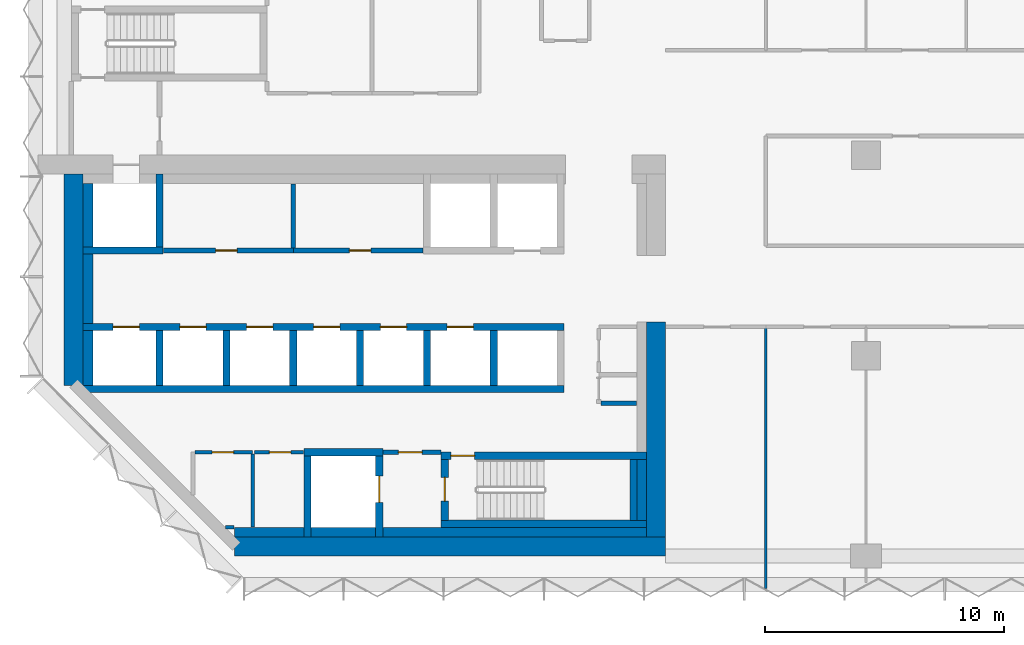
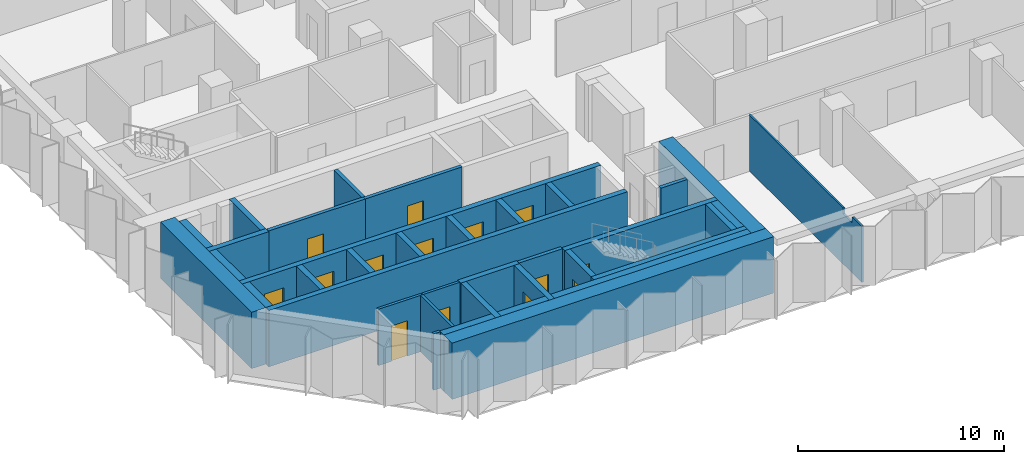
# One storey, part 7 of 13: 37 walls, 14 doors, 14 openings.
"""IFC4 building model written with IfcOpenShell, lengths in metres."""

from ifc_helpers import new_model, si_unit, direction, frame, frame_2d, origin, place, context, subcontext, project, spatial, polyline, rectangle, outline, extrude, material, layer, layer_set, type_object, element, fill, save


model = new_model("IFC4")

# Units and contexts
model_context = context("Model", 3, precision=1e-05, world=origin(), true_north=direction((0.0, 1.0)))
body_context = subcontext(model_context, "Body", "Model", "MODEL_VIEW")
ifc_project = project(units=[si_unit("LENGTHUNIT", "METRE"), si_unit("AREAUNIT", "SQUARE_METRE"), si_unit("VOLUMEUNIT", "CUBIC_METRE"), si_unit("PLANEANGLEUNIT", "RADIAN"), si_unit("MASSUNIT", "GRAM", prefix="KILO")], contexts=[model_context])

# Site, building, storey
site_placement = place(None, origin())
site = spatial("IfcSite", under=ifc_project, at=site_placement, CompositionType="ELEMENT")
building_placement = place(site_placement, origin())
building = spatial("IfcBuilding", under=site, at=building_placement, Name="Brevane Broadcast Tower", CompositionType="ELEMENT")
storey_placement = place(building_placement, frame((0.0, 0.0, 116.89990234375)))
storey = spatial("IfcBuildingStorey", under=building, at=storey_placement, Name="L28", CompositionType="ELEMENT", Elevation=116.89990234375)

# Walls
ifc_material_1 = material(Name="Concrete C32/40", Category="concrete")
ifc_layer_1 = layer(ifc_material_1, 0.39990234375)
ifc_layer_set_1 = layer_set([ifc_layer_1], Name="Core chase wall 400 mm")
wall_type_1 = type_object("IfcWallType", Name="Core chase wall 400 mm", PredefinedType="PARTITIONING", material=ifc_layer_set_1)
wall_1_placement = place(storey_placement, frame((1.0, 7.14990234375, 0.0), z_axis=(0.0, 0.0, 1.0), x_axis=(0.0, 1.0, 0.0)))
element("IfcWall", 1, at=wall_1_placement, inside=storey, type_object=wall_type_1, Name="L28 chase wall LW-2-1", PredefinedType="PARTITIONING", context=body_context, shape_type="SweptSolid", body=[
    extrude(rectangle(XDim=2.300048828125, YDim=0.39990234375, at=frame_2d((1.14990234375, 0.0))), origin(), (0.0, 0.0, 1.0), 3.35009765625),
])
wall_2_placement = place(storey_placement, frame((1.0, 9.75, 0.0), z_axis=(0.0, 0.0, 1.0), x_axis=(0.0, 1.0, 0.0)))
element("IfcWall", 2, at=wall_2_placement, inside=storey, type_object=wall_type_1, Name="L28 chase wall LW-2-2-1", PredefinedType="PARTITIONING", context=body_context, shape_type="SweptSolid", body=[
    extrude(rectangle(XDim=2.89990234375, YDim=0.39990234375, at=frame_2d((1.449951171875, 0.0))), origin(), (0.0, 0.0, 1.0), 3.35009765625),
])
wall_3_placement = place(storey_placement, frame((1.0, 12.949951171875, 0.0), z_axis=(0.0, 0.0, 1.0), x_axis=(0.0, 1.0, 0.0)))
element("IfcWall", 3, at=wall_3_placement, inside=storey, type_object=wall_type_1, Name="L28 chase wall LW-2-2-2", PredefinedType="PARTITIONING", context=body_context, shape_type="SweptSolid", body=[
    extrude(rectangle(XDim=2.650146484375, YDim=0.39990234375, at=frame_2d((1.3251953125, 0.0))), origin(), (0.0, 0.0, 1.0), 3.35009765625),
])
wall_4_placement = place(storey_placement, frame((7.136474609375, 1.0, 0.0), z_axis=(0.0, 0.0, 1.0), x_axis=(1.0, 0.0, 0.0)))
element("IfcWall", 4, at=wall_4_placement, inside=storey, type_object=wall_type_1, Name="L28 chase wall LS-1", PredefinedType="PARTITIONING", context=body_context, shape_type="SweptSolid", body=[
    extrude(rectangle(XDim=2.91357421875, YDim=0.39990234375, at=frame_2d((1.456787109375, 0.0))), origin(), (0.0, 0.0, 1.0), 3.35009765625),
])
wall_5_placement = place(storey_placement, frame((10.35009765625, 1.0, 0.0), z_axis=(0.0, 0.0, 1.0), x_axis=(1.0, 0.0, 0.0)))
element("IfcWall", 5, at=wall_5_placement, inside=storey, type_object=wall_type_1, Name="L28 chase wall LS-2-1", PredefinedType="PARTITIONING", context=body_context, shape_type="SweptSolid", body=[
    extrude(rectangle(XDim=2.699951171875, YDim=0.39990234375, at=frame_2d((1.35009765625, 0.0))), origin(), (0.0, 0.0, 1.0), 3.35009765625),
])
wall_6_placement = place(storey_placement, frame((13.35009765625, 1.0, 0.0), z_axis=(0.0, 0.0, 1.0), x_axis=(1.0, 0.0, 0.0)))
element("IfcWall", 6, at=wall_6_placement, inside=storey, type_object=wall_type_1, Name="L28 chase wall LS-2-2", PredefinedType="PARTITIONING", context=body_context, shape_type="SweptSolid", body=[
    extrude(rectangle(XDim=11.0498046875, YDim=0.39990234375, at=frame_2d((5.52490234375, 0.0))), origin(), (0.0, 0.0, 1.0), 3.35009765625),
])
wall_7_placement = place(storey_placement, frame((24.199951171875, 1.5, 0.0), z_axis=(0.0, 0.0, 1.0), x_axis=(0.0, 1.0, 0.0)))
element("IfcWall", 7, at=wall_7_placement, inside=storey, type_object=wall_type_1, Name="L28 chase wall LE1-2-1", PredefinedType="PARTITIONING", context=body_context, shape_type="SweptSolid", body=[
    extrude(rectangle(XDim=2.550048828125, YDim=0.39990234375, at=frame_2d((1.27490234375, 0.0))), origin(), (0.0, 0.0, 1.0), 3.35009765625),
])

# Wall, opening, door
ifc_material_2 = material(Name="Gypsum board on steel studs", Category="steel")
ifc_layer_2 = layer(ifc_material_2, 0.14990234375)
ifc_layer_set_2 = layer_set([ifc_layer_2], Name="Core fire partition 150 mm")
wall_type_2 = type_object("IfcWallType", Name="Core fire partition 150 mm", PredefinedType="PARTITIONING", material=ifc_layer_set_2)
wall_8_placement = place(storey_placement, frame((5.47509765625, 4.35009765625, 0.0), z_axis=(0.0, 0.0, 1.0), x_axis=(1.0, 0.0, 0.0)))
wall_8 = element("IfcWall", 8, at=wall_8_placement, inside=storey, type_object=wall_type_2, Name="L28 partition wall P11", PredefinedType="PARTITIONING", context=body_context, shape_type="SweptSolid", body=[
    extrude(rectangle(XDim=2.4248046875, YDim=0.14990234375, at=frame_2d((1.21240234375, 0.0))), origin(), (0.0, 0.0, 1.0), 3.35009765625),
])
opening_1_placement = place(wall_8_placement, frame((0.72509765625, 0.0, 0.0)))
opening_1 = element("IfcOpeningElement", 9, at=opening_1_placement, cuts=wall_8, Name="Opening L28-K16", PredefinedType="OPENING", context=body_context, shape_type="SweptSolid", body=[
    extrude(rectangle(XDim=0.89990234375, YDim=2.10009765625, at=frame_2d((0.449951171875, 1.050048828125))), frame((0.0, 0.0849609375, 0.0), z_axis=(0.0, -1.0, 0.0), x_axis=(1.0, 0.0, 0.0)), (0.0, 0.0, 1.0), 0.169921875),
])
ifc_material_3 = material(Name="Timber", Category="wood")
door_type_1 = type_object("IfcDoorType", Name="Toilet door 900 x 2100", OperationType="SINGLE_SWING_LEFT", PredefinedType="DOOR", material=ifc_material_3)
door_1_placement = place(opening_1_placement, origin())
door_1 = element("IfcDoor", 10, at=door_1_placement, inside=storey, type_object=door_type_1, Name="Door L28-K16", OperationType="SINGLE_SWING_RIGHT", OverallHeight=2.10009765625, OverallWidth=0.89990234375, PredefinedType="DOOR", context=body_context, shape_type="SweptSolid", body=[
    extrude(rectangle(XDim=0.89990234375, YDim=2.10009765625, at=frame_2d((0.449951171875, 1.050048828125))), frame((0.0, 0.02490234375, 0.0), z_axis=(0.0, -1.0, 0.0), x_axis=(1.0, 0.0, 0.0)), (0.0, 0.0, 1.0), 0.050048828125),
])
fill(opening_1, door_1)

# Walls
wall_9_placement = place(storey_placement, frame((7.89990234375, 4.27490234375, 0.0), z_axis=(0.0, 0.0, 1.0), x_axis=(0.0, -1.0, 0.0)))
element("IfcWall", 11, at=wall_9_placement, inside=storey, type_object=wall_type_2, Name="L28 partition wall P12", PredefinedType="PARTITIONING", context=body_context, shape_type="SweptSolid", body=[
    extrude(rectangle(XDim=3.06298828125, YDim=0.14990234375, at=frame_2d((1.531494140625, 0.0))), origin(), (0.0, 0.0, 1.0), 3.35009765625),
])
wall_10_placement = place(storey_placement, frame((7.12451171875, 1.199951171875, 0.0), z_axis=(0.0, 0.0, 1.0), x_axis=(-1.0, 0.0, 0.0)))
element("IfcWall", 12, at=wall_10_placement, inside=storey, type_object=wall_type_2, Name="L28 partition wall P13", PredefinedType="PARTITIONING", context=body_context, shape_type="SweptSolid", body=[
    extrude(rectangle(XDim=0.37109375, YDim=0.14990234375, at=frame_2d((0.185546875, 0.0))), origin(), (0.0, 0.0, 1.0), 3.35009765625),
])

# Wall, opening, door
wall_11_placement = place(storey_placement, frame((10.0380859375, 4.35009765625, 0.0), z_axis=(0.0, 0.0, 1.0), x_axis=(-1.0, 0.0, 0.0)))
wall_11 = element("IfcWall", 13, at=wall_11_placement, inside=storey, type_object=wall_type_2, Name="L28 partition wall P14", PredefinedType="PARTITIONING", context=body_context, shape_type="SweptSolid", body=[
    extrude(rectangle(XDim=2.06298828125, YDim=0.14990234375, at=frame_2d((1.031494140625, 0.0))), origin(), (0.0, 0.0, 1.0), 3.35009765625),
])
opening_2_placement = place(wall_11_placement, frame((0.5380859375, 0.0, 0.0)))
opening_2 = element("IfcOpeningElement", 14, at=opening_2_placement, cuts=wall_11, Name="Opening L28-K17", PredefinedType="OPENING", context=body_context, shape_type="SweptSolid", body=[
    extrude(rectangle(XDim=0.89990234375, YDim=2.10009765625, at=frame_2d((0.449951171875, 1.050048828125))), frame((0.0, 0.0849609375, 0.0), z_axis=(0.0, -1.0, 0.0), x_axis=(1.0, 0.0, 0.0)), (0.0, 0.0, 1.0), 0.169921875),
])
door_2_placement = place(opening_2_placement, origin())
door_2 = element("IfcDoor", 15, at=door_2_placement, inside=storey, type_object=door_type_1, Name="Door L28-K17", OperationType="SINGLE_SWING_LEFT", OverallHeight=2.10009765625, OverallWidth=0.89990234375, PredefinedType="DOOR", context=body_context, shape_type="SweptSolid", body=[
    extrude(rectangle(XDim=0.89990234375, YDim=2.10009765625, at=frame_2d((0.449951171875, 1.050048828125))), frame((0.0, 0.02490234375, 0.0), z_axis=(0.0, -1.0, 0.0), x_axis=(1.0, 0.0, 0.0)), (0.0, 0.0, 1.0), 0.050048828125),
])
fill(opening_2, door_2)

ifc_layer_3 = layer(ifc_material_2, 0.199951171875)
ifc_layer_set_3 = layer_set([ifc_layer_3], Name="Core fire partition 200 mm")
wall_type_3 = type_object("IfcWallType", Name="Core fire partition 200 mm", PredefinedType="PARTITIONING", material=ifc_layer_set_3)
wall_12_placement = place(storey_placement, frame((13.362060546875, 4.35009765625, 0.0), z_axis=(0.0, 0.0, 1.0), x_axis=(1.0, 0.0, 0.0)))
wall_12 = element("IfcWall", 16, at=wall_12_placement, inside=storey, type_object=wall_type_3, Name="L28 partition wall P03", PredefinedType="PARTITIONING", context=body_context, shape_type="SweptSolid", body=[
    extrude(rectangle(XDim=2.426025390625, YDim=0.199951171875, at=frame_2d((1.212890625, 0.0))), origin(), (0.0, 0.0, 1.0), 3.35009765625),
])
opening_3_placement = place(wall_12_placement, frame((0.637939453125, 0.0, 0.0)))
opening_3 = element("IfcOpeningElement", 17, at=opening_3_placement, cuts=wall_12, Name="Opening L28-K18", PredefinedType="OPENING", context=body_context, shape_type="SweptSolid", body=[
    extrude(rectangle(XDim=1.0, YDim=2.10009765625, at=frame_2d((0.5, 1.050048828125))), frame((0.0, 0.10986328125, 0.0), z_axis=(0.0, -1.0, 0.0), x_axis=(1.0, 0.0, 0.0)), (0.0, 0.0, 1.0), 0.219970703125),
])
ifc_material_4 = material(Name="Steel", Category="steel")
door_type_2 = type_object("IfcDoorType", Name="Stair door 1000 x 2100", OperationType="SINGLE_SWING_LEFT", PredefinedType="DOOR", material=ifc_material_4)
door_3_placement = place(opening_3_placement, origin())
door_3 = element("IfcDoor", 18, at=door_3_placement, inside=storey, type_object=door_type_2, Name="Door L28-K18", OperationType="SINGLE_SWING_RIGHT", OverallHeight=2.10009765625, OverallWidth=1.0, PredefinedType="DOOR", context=body_context, shape_type="SweptSolid", body=[
    extrude(rectangle(XDim=1.0, YDim=2.10009765625, at=frame_2d((0.5, 1.050048828125))), frame((0.0, 0.02490234375, 0.0), z_axis=(0.0, -1.0, 0.0), x_axis=(1.0, 0.0, 0.0)), (0.0, 0.0, 1.0), 0.050048828125),
])
fill(opening_3, door_3)

wall_13_placement = place(storey_placement, frame((4.162109375, 12.800048828125, 0.0), z_axis=(0.0, 0.0, 1.0), x_axis=(1.0, 0.0, 0.0)))
wall_13 = element("IfcWall", 19, at=wall_13_placement, inside=storey, type_object=wall_type_3, Name="L28 partition wall P04", PredefinedType="PARTITIONING", context=body_context, shape_type="SweptSolid", body=[
    extrude(rectangle(XDim=5.43798828125, YDim=0.199951171875, at=frame_2d((2.718994140625, 0.0))), origin(), (0.0, 0.0, 1.0), 3.35009765625),
])
opening_4_placement = place(wall_13_placement, frame((2.18798828125, 0.0, 0.0)))
opening_4 = element("IfcOpeningElement", 20, at=opening_4_placement, cuts=wall_13, Name="Opening L28-K21", PredefinedType="OPENING", context=body_context, shape_type="SweptSolid", body=[
    extrude(rectangle(XDim=0.89990234375, YDim=2.10009765625, at=frame_2d((0.449951171875, 1.050048828125))), frame((0.0, 0.10986328125, 0.0), z_axis=(0.0, -1.0, 0.0), x_axis=(1.0, 0.0, 0.0)), (0.0, 0.0, 1.0), 0.219970703125),
])
door_type_3 = type_object("IfcDoorType", Name="Service room door 900 x 2100", OperationType="SINGLE_SWING_LEFT", PredefinedType="DOOR", material=ifc_material_4)
door_4_placement = place(opening_4_placement, origin())
door_4 = element("IfcDoor", 21, at=door_4_placement, inside=storey, type_object=door_type_3, Name="Door L28-K21", OperationType="SINGLE_SWING_LEFT", OverallHeight=2.10009765625, OverallWidth=0.89990234375, PredefinedType="DOOR", context=body_context, shape_type="SweptSolid", body=[
    extrude(rectangle(XDim=0.89990234375, YDim=2.10009765625, at=frame_2d((0.449951171875, 1.050048828125))), frame((0.0, 0.02490234375, 0.0), z_axis=(0.0, -1.0, 0.0), x_axis=(1.0, 0.0, 0.0)), (0.0, 0.0, 1.0), 0.050048828125),
])
fill(opening_4, door_4)

wall_14_placement = place(storey_placement, frame((9.60009765625, 12.800048828125, 0.0), z_axis=(0.0, 0.0, 1.0), x_axis=(1.0, 0.0, 0.0)))
wall_14 = element("IfcWall", 22, at=wall_14_placement, inside=storey, type_object=wall_type_3, Name="L28 partition wall P05", PredefinedType="PARTITIONING", context=body_context, shape_type="SweptSolid", body=[
    extrude(rectangle(XDim=5.43798828125, YDim=0.199951171875, at=frame_2d((2.718994140625, 0.0))), origin(), (0.0, 0.0, 1.0), 3.35009765625),
])
opening_5_placement = place(wall_14_placement, frame((2.35009765625, 0.0, 0.0)))
opening_5 = element("IfcOpeningElement", 23, at=opening_5_placement, cuts=wall_14, Name="Opening L28-K22", PredefinedType="OPENING", context=body_context, shape_type="SweptSolid", body=[
    extrude(rectangle(XDim=0.89990234375, YDim=2.10009765625, at=frame_2d((0.449951171875, 1.050048828125))), frame((0.0, 0.10986328125, 0.0), z_axis=(0.0, -1.0, 0.0), x_axis=(1.0, 0.0, 0.0)), (0.0, 0.0, 1.0), 0.219970703125),
])
door_5_placement = place(opening_5_placement, origin())
door_5 = element("IfcDoor", 24, at=door_5_placement, inside=storey, type_object=door_type_3, Name="Door L28-K22", OperationType="SINGLE_SWING_RIGHT", OverallHeight=2.10009765625, OverallWidth=0.89990234375, PredefinedType="DOOR", context=body_context, shape_type="SweptSolid", body=[
    extrude(rectangle(XDim=0.89990234375, YDim=2.10009765625, at=frame_2d((0.449951171875, 1.050048828125))), frame((0.0, 0.02490234375, 0.0), z_axis=(0.0, -1.0, 0.0), x_axis=(1.0, 0.0, 0.0)), (0.0, 0.0, 1.0), 0.050048828125),
])
fill(opening_5, door_5)

# Walls
wall_15_placement = place(storey_placement, frame((9.60009765625, 15.587890625, 0.0), z_axis=(0.0, 0.0, 1.0), x_axis=(0.0, -1.0, 0.0)))
element("IfcWall", 25, at=wall_15_placement, inside=storey, type_object=wall_type_3, Name="L28 partition wall P06", PredefinedType="PARTITIONING", context=body_context, shape_type="SweptSolid", body=[
    extrude(rectangle(XDim=2.68798828125, YDim=0.199951171875, at=frame_2d((1.343994140625, 0.0))), origin(), (0.0, 0.0, 1.0), 3.35009765625),
])
wall_16_placement = place(storey_placement, frame((22.5, 6.39990234375, 0.0), z_axis=(0.0, 0.0, 1.0), x_axis=(1.0, 0.0, 0.0)))
element("IfcWall", 26, at=wall_16_placement, inside=storey, type_object=wall_type_3, Name="L28 partition wall P09", PredefinedType="PARTITIONING", context=body_context, shape_type="SweptSolid", body=[
    extrude(rectangle(XDim=1.488037109375, YDim=0.199951171875, at=frame_2d((0.744140625, 0.0))), origin(), (0.0, 0.0, 1.0), 3.35009765625),
])
ifc_material_5 = material(Name="Concrete C60/75", Category="concrete")
ifc_layer_4 = layer(ifc_material_5, 0.300048828125)
ifc_layer_set_4 = layer_set([ifc_layer_4], Name="Core wall 300 mm C60/75")
wall_type_4 = type_object("IfcWallType", Name="Core wall 300 mm C60/75", PredefinedType="SHEAR", material=ifc_layer_set_4)
wall_17_placement = place(storey_placement, frame((0.800048828125, 7.0, 0.0), z_axis=(0.0, 0.0, 1.0), x_axis=(1.0, 0.0, 0.0)))
element("IfcWall", 27, at=wall_17_placement, inside=storey, type_object=wall_type_4, Name="L28 shaft wall SH-S012-back", PredefinedType="SHEAR", context=body_context, shape_type="SweptSolid", body=[
    extrude(rectangle(XDim=20.14990234375, YDim=0.300048828125, at=frame_2d((10.074951171875, 0.0))), origin(), (0.0, 0.0, 1.0), 3.35009765625),
])

# Wall, openings, doors
wall_18_placement = place(storey_placement, frame((0.800048828125, 9.60009765625, 0.0), z_axis=(0.0, 0.0, 1.0), x_axis=(1.0, 0.0, 0.0)))
wall_18 = element("IfcWall", 28, at=wall_18_placement, inside=storey, type_object=wall_type_4, Name="L28 shaft wall SH-S012-front", PredefinedType="SHEAR", context=body_context, shape_type="SweptSolid", body=[
    extrude(rectangle(XDim=20.14990234375, YDim=0.300048828125, at=frame_2d((10.074951171875, 0.0))), origin(), (0.0, 0.0, 1.0), 3.35009765625),
])
opening_6_placement = place(wall_18_placement, frame((1.25, 0.0, 0.0)))
opening_6 = element("IfcOpeningElement", 29, at=opening_6_placement, cuts=wall_18, Name="Opening LD", PredefinedType="OPENING", context=body_context, shape_type="SweptSolid", body=[
    extrude(rectangle(XDim=1.10009765625, YDim=2.300048828125, at=frame_2d((0.550048828125, 1.14990234375))), frame((0.0, 0.159912109375, 0.0), z_axis=(0.0, -1.0, 0.0), x_axis=(1.0, 0.0, 0.0)), (0.0, 0.0, 1.0), 0.320068359375),
])
opening_7_placement = place(wall_18_placement, frame((4.050048828125, 0.0, 0.0)))
opening_7 = element("IfcOpeningElement", 30, at=opening_7_placement, cuts=wall_18, Name="Opening LD", PredefinedType="OPENING", context=body_context, shape_type="SweptSolid", body=[
    extrude(rectangle(XDim=1.10009765625, YDim=2.300048828125, at=frame_2d((0.550048828125, 1.14990234375))), frame((0.0, 0.159912109375, 0.0), z_axis=(0.0, -1.0, 0.0), x_axis=(1.0, 0.0, 0.0)), (0.0, 0.0, 1.0), 0.320068359375),
])
opening_8_placement = place(wall_18_placement, frame((6.85009765625, 0.0, 0.0)))
opening_8 = element("IfcOpeningElement", 31, at=opening_8_placement, cuts=wall_18, Name="Opening LD", PredefinedType="OPENING", context=body_context, shape_type="SweptSolid", body=[
    extrude(rectangle(XDim=1.10009765625, YDim=2.300048828125, at=frame_2d((0.550048828125, 1.14990234375))), frame((0.0, 0.159912109375, 0.0), z_axis=(0.0, -1.0, 0.0), x_axis=(1.0, 0.0, 0.0)), (0.0, 0.0, 1.0), 0.320068359375),
])
opening_9_placement = place(wall_18_placement, frame((9.64990234375, 0.0, 0.0)))
opening_9 = element("IfcOpeningElement", 32, at=opening_9_placement, cuts=wall_18, Name="Opening LD", PredefinedType="OPENING", context=body_context, shape_type="SweptSolid", body=[
    extrude(rectangle(XDim=1.10009765625, YDim=2.300048828125, at=frame_2d((0.550048828125, 1.14990234375))), frame((0.0, 0.159912109375, 0.0), z_axis=(0.0, -1.0, 0.0), x_axis=(1.0, 0.0, 0.0)), (0.0, 0.0, 1.0), 0.320068359375),
])
opening_10_placement = place(wall_18_placement, frame((12.449951171875, 0.0, 0.0)))
opening_10 = element("IfcOpeningElement", 33, at=opening_10_placement, cuts=wall_18, Name="Opening LD", PredefinedType="OPENING", context=body_context, shape_type="SweptSolid", body=[
    extrude(rectangle(XDim=1.10009765625, YDim=2.300048828125, at=frame_2d((0.550048828125, 1.14990234375))), frame((0.0, 0.159912109375, 0.0), z_axis=(0.0, -1.0, 0.0), x_axis=(1.0, 0.0, 0.0)), (0.0, 0.0, 1.0), 0.320068359375),
])
opening_11_placement = place(wall_18_placement, frame((15.25, 0.0, 0.0)))
opening_11 = element("IfcOpeningElement", 34, at=opening_11_placement, cuts=wall_18, Name="Opening LD", PredefinedType="OPENING", context=body_context, shape_type="SweptSolid", body=[
    extrude(rectangle(XDim=1.10009765625, YDim=2.300048828125, at=frame_2d((0.550048828125, 1.14990234375))), frame((0.0, 0.159912109375, 0.0), z_axis=(0.0, -1.0, 0.0), x_axis=(1.0, 0.0, 0.0)), (0.0, 0.0, 1.0), 0.320068359375),
])
ifc_material_6 = material(Name="Stainless steel", Category="steel")
door_type_4 = type_object("IfcDoorType", Name="Lift landing door", OperationType="SLIDING_TO_LEFT", PredefinedType="DOOR", material=ifc_material_6)
door_6_placement = place(opening_6_placement, origin())
door_6 = element("IfcDoor", 35, at=door_6_placement, inside=storey, type_object=door_type_4, Name="Landing door LR1 L28", OperationType="SLIDING_TO_LEFT", OverallHeight=2.300048828125, OverallWidth=1.10009765625, PredefinedType="DOOR", context=body_context, shape_type="SweptSolid", body=[
    extrude(rectangle(XDim=1.10009765625, YDim=2.300048828125, at=frame_2d((0.550048828125, 1.14990234375))), frame((0.0, 0.02490234375, 0.0), z_axis=(0.0, -1.0, 0.0), x_axis=(1.0, 0.0, 0.0)), (0.0, 0.0, 1.0), 0.050048828125),
])
fill(opening_6, door_6)
door_7_placement = place(opening_7_placement, origin())
door_7 = element("IfcDoor", 36, at=door_7_placement, inside=storey, type_object=door_type_4, Name="Landing door LR2 L28", OperationType="SLIDING_TO_LEFT", OverallHeight=2.300048828125, OverallWidth=1.10009765625, PredefinedType="DOOR", context=body_context, shape_type="SweptSolid", body=[
    extrude(rectangle(XDim=1.10009765625, YDim=2.300048828125, at=frame_2d((0.550048828125, 1.14990234375))), frame((0.0, 0.02490234375, 0.0), z_axis=(0.0, -1.0, 0.0), x_axis=(1.0, 0.0, 0.0)), (0.0, 0.0, 1.0), 0.050048828125),
])
fill(opening_7, door_7)
door_8_placement = place(opening_8_placement, origin())
door_8 = element("IfcDoor", 37, at=door_8_placement, inside=storey, type_object=door_type_4, Name="Landing door LR3 L28", OperationType="SLIDING_TO_LEFT", OverallHeight=2.300048828125, OverallWidth=1.10009765625, PredefinedType="DOOR", context=body_context, shape_type="SweptSolid", body=[
    extrude(rectangle(XDim=1.10009765625, YDim=2.300048828125, at=frame_2d((0.550048828125, 1.14990234375))), frame((0.0, 0.02490234375, 0.0), z_axis=(0.0, -1.0, 0.0), x_axis=(1.0, 0.0, 0.0)), (0.0, 0.0, 1.0), 0.050048828125),
])
fill(opening_8, door_8)
door_9_placement = place(opening_9_placement, origin())
door_9 = element("IfcDoor", 38, at=door_9_placement, inside=storey, type_object=door_type_4, Name="Landing door LR4 L28", OperationType="SLIDING_TO_LEFT", OverallHeight=2.300048828125, OverallWidth=1.10009765625, PredefinedType="DOOR", context=body_context, shape_type="SweptSolid", body=[
    extrude(rectangle(XDim=1.10009765625, YDim=2.300048828125, at=frame_2d((0.550048828125, 1.14990234375))), frame((0.0, 0.02490234375, 0.0), z_axis=(0.0, -1.0, 0.0), x_axis=(1.0, 0.0, 0.0)), (0.0, 0.0, 1.0), 0.050048828125),
])
fill(opening_9, door_9)
door_10_placement = place(opening_10_placement, origin())
door_10 = element("IfcDoor", 39, at=door_10_placement, inside=storey, type_object=door_type_4, Name="Landing door LR5 L28", OperationType="SLIDING_TO_LEFT", OverallHeight=2.300048828125, OverallWidth=1.10009765625, PredefinedType="DOOR", context=body_context, shape_type="SweptSolid", body=[
    extrude(rectangle(XDim=1.10009765625, YDim=2.300048828125, at=frame_2d((0.550048828125, 1.14990234375))), frame((0.0, 0.02490234375, 0.0), z_axis=(0.0, -1.0, 0.0), x_axis=(1.0, 0.0, 0.0)), (0.0, 0.0, 1.0), 0.050048828125),
])
fill(opening_10, door_10)
door_11_placement = place(opening_11_placement, origin())
door_11 = element("IfcDoor", 40, at=door_11_placement, inside=storey, type_object=door_type_4, Name="Landing door LR6 L28", OperationType="SLIDING_TO_LEFT", OverallHeight=2.300048828125, OverallWidth=1.10009765625, PredefinedType="DOOR", context=body_context, shape_type="SweptSolid", body=[
    extrude(rectangle(XDim=1.10009765625, YDim=2.300048828125, at=frame_2d((0.550048828125, 1.14990234375))), frame((0.0, 0.02490234375, 0.0), z_axis=(0.0, -1.0, 0.0), x_axis=(1.0, 0.0, 0.0)), (0.0, 0.0, 1.0), 0.050048828125),
])
fill(opening_11, door_11)

# Walls
for number, where, z_axis, x_axis, name in (
    (41, (4.0, 7.14990234375, 0.0), (0.0, 0.0, 1.0), (0.0, 1.0, 0.0), "L28 shaft wall SH-S-P040"),
    (42, (6.800048828125, 7.14990234375, 0.0), (0.0, 0.0, 1.0), (0.0, 1.0, 0.0), "L28 shaft wall SH-S-P068"),
    (43, (9.60009765625, 7.14990234375, 0.0), (0.0, 0.0, 1.0), (0.0, 1.0, 0.0), "L28 shaft wall SH-S-P096"),
    (44, (12.39990234375, 7.14990234375, 0.0), (0.0, 0.0, 1.0), (0.0, 1.0, 0.0), "L28 shaft wall SH-S-P124"),
    (45, (15.199951171875, 7.14990234375, 0.0), (0.0, 0.0, 1.0), (0.0, 1.0, 0.0), "L28 shaft wall SH-S-P152"),
    (46, (18.0, 7.14990234375, 0.0), (0.0, 0.0, 1.0), (0.0, 1.0, 0.0), "L28 shaft wall SH-S-P180"),
):
    element("IfcWall", number, at=place(storey_placement, frame(where, z_axis=z_axis, x_axis=x_axis)), inside=storey, type_object=wall_type_4, Name=name, PredefinedType="SHEAR", context=body_context, shape_type="SweptSolid", body=[
        extrude(rectangle(XDim=2.300048828125, YDim=0.300048828125, at=frame_2d((1.14990234375, 0.0))), origin(), (0.0, 0.0, 1.0), 3.35009765625),
    ])
wall_19_placement = place(storey_placement, frame((0.800048828125, 12.800048828125, 0.0), z_axis=(0.0, 0.0, 1.0), x_axis=(1.0, 0.0, 0.0)))
element("IfcWall", 47, at=wall_19_placement, inside=storey, type_object=wall_type_4, Name="L28 shaft wall SH-N012-front", PredefinedType="SHEAR", context=body_context, shape_type="SweptSolid", body=[
    extrude(rectangle(XDim=3.349853515625, YDim=0.300048828125, at=frame_2d((1.6748046875, 0.0))), origin(), (0.0, 0.0, 1.0), 3.35009765625),
])
wall_20_placement = place(storey_placement, frame((4.0, 12.949951171875, 0.0), z_axis=(0.0, 0.0, 1.0), x_axis=(0.0, 1.0, 0.0)))
element("IfcWall", 48, at=wall_20_placement, inside=storey, type_object=wall_type_4, Name="L28 shaft wall SH-N-P040", PredefinedType="SHEAR", context=body_context, shape_type="SweptSolid", body=[
    extrude(rectangle(XDim=3.050048828125, YDim=0.300048828125, at=frame_2d((1.52490234375, 0.0))), origin(), (0.0, 0.0, 1.0), 3.35009765625),
])
wall_21_placement = place(storey_placement, frame((10.199951171875, 0.800048828125, 0.0), z_axis=(0.0, 0.0, 1.0), x_axis=(0.0, 1.0, 0.0)))
element("IfcWall", 49, at=wall_21_placement, inside=storey, type_object=wall_type_4, Name="L28 shaft wall FF2-W", PredefinedType="SHEAR", context=body_context, shape_type="SweptSolid", body=[
    extrude(rectangle(XDim=3.39990234375, YDim=0.300048828125, at=frame_2d((1.699951171875, 0.0))), origin(), (0.0, 0.0, 1.0), 3.35009765625),
])

# Wall, opening, door
wall_22_placement = place(storey_placement, frame((13.199951171875, 0.800048828125, 0.0), z_axis=(0.0, 0.0, 1.0), x_axis=(0.0, 1.0, 0.0)))
wall_22 = element("IfcWall", 50, at=wall_22_placement, inside=storey, type_object=wall_type_4, Name="L28 shaft wall FF2-E", PredefinedType="SHEAR", context=body_context, shape_type="SweptSolid", body=[
    extrude(rectangle(XDim=3.39990234375, YDim=0.300048828125, at=frame_2d((1.699951171875, 0.0))), origin(), (0.0, 0.0, 1.0), 3.35009765625),
])
opening_12_placement = place(wall_22_placement, frame((1.449951171875, 0.0, 0.0)))
opening_12 = element("IfcOpeningElement", 51, at=opening_12_placement, cuts=wall_22, Name="Opening LD", PredefinedType="OPENING", context=body_context, shape_type="SweptSolid", body=[
    extrude(rectangle(XDim=1.10009765625, YDim=2.300048828125, at=frame_2d((0.550048828125, 1.14990234375))), frame((0.0, 0.159912109375, 0.0), z_axis=(0.0, -1.0, 0.0), x_axis=(1.0, 0.0, 0.0)), (0.0, 0.0, 1.0), 0.320068359375),
])
door_12_placement = place(opening_12_placement, origin())
door_12 = element("IfcDoor", 52, at=door_12_placement, inside=storey, type_object=door_type_4, Name="Landing door FF2 L28", OperationType="SLIDING_TO_LEFT", OverallHeight=2.300048828125, OverallWidth=1.10009765625, PredefinedType="DOOR", context=body_context, shape_type="SweptSolid", body=[
    extrude(rectangle(XDim=1.10009765625, YDim=2.300048828125, at=frame_2d((0.550048828125, 1.14990234375))), frame((0.0, 0.02490234375, 0.0), z_axis=(0.0, -1.0, 0.0), x_axis=(1.0, 0.0, 0.0)), (0.0, 0.0, 1.0), 0.050048828125),
])
fill(opening_12, door_12)

# Walls
wall_23_placement = place(storey_placement, frame((10.050048828125, 4.35009765625, 0.0), z_axis=(0.0, 0.0, 1.0), x_axis=(1.0, 0.0, 0.0)))
element("IfcWall", 53, at=wall_23_placement, inside=storey, type_object=wall_type_4, Name="L28 shaft wall FF2-N", PredefinedType="SHEAR", context=body_context, shape_type="SweptSolid", body=[
    extrude(rectangle(XDim=3.300048828125, YDim=0.300048828125, at=frame_2d((1.64990234375, 0.0))), origin(), (0.0, 0.0, 1.0), 3.35009765625),
])
wall_24_placement = place(storey_placement, frame((15.800048828125, 1.35009765625, 0.0), z_axis=(0.0, 0.0, 1.0), x_axis=(1.0, 0.0, 0.0)))
element("IfcWall", 54, at=wall_24_placement, inside=storey, type_object=wall_type_4, Name="L28 stair wall ST-2-S", PredefinedType="SHEAR", context=body_context, shape_type="SweptSolid", body=[
    extrude(rectangle(XDim=8.599853515625, YDim=0.300048828125, at=frame_2d((4.2998046875, 0.0))), origin(), (0.0, 0.0, 1.0), 3.35009765625),
])

# Wall, opening, door
wall_25_placement = place(storey_placement, frame((15.800048828125, 4.199951171875, 0.0), z_axis=(0.0, 0.0, 1.0), x_axis=(1.0, 0.0, 0.0)))
wall_25 = element("IfcWall", 55, at=wall_25_placement, inside=storey, type_object=wall_type_4, Name="L28 stair wall ST-2-N", PredefinedType="SHEAR", context=body_context, shape_type="SweptSolid", body=[
    extrude(rectangle(XDim=8.599853515625, YDim=0.300048828125, at=frame_2d((4.2998046875, 0.0))), origin(), (0.0, 0.0, 1.0), 3.35009765625),
])
opening_13_placement = place(wall_25_placement, frame((0.39990234375, 0.0, 0.0)))
opening_13 = element("IfcOpeningElement", 56, at=opening_13_placement, cuts=wall_25, Name="Opening L28-K13", PredefinedType="OPENING", context=body_context, shape_type="SweptSolid", body=[
    extrude(rectangle(XDim=1.0, YDim=2.10009765625, at=frame_2d((0.5, 1.050048828125))), frame((0.0, 0.159912109375, 0.0), z_axis=(0.0, -1.0, 0.0), x_axis=(1.0, 0.0, 0.0)), (0.0, 0.0, 1.0), 0.320068359375),
])
door_13_placement = place(opening_13_placement, origin())
door_13 = element("IfcDoor", 57, at=door_13_placement, inside=storey, type_object=door_type_2, Name="Door L28-K13", OperationType="SINGLE_SWING_LEFT", OverallHeight=2.10009765625, OverallWidth=1.0, PredefinedType="DOOR", context=body_context, shape_type="SweptSolid", body=[
    extrude(rectangle(XDim=1.0, YDim=2.10009765625, at=frame_2d((0.5, 1.050048828125))), frame((0.0, 0.02490234375, 0.0), z_axis=(0.0, -1.0, 0.0), x_axis=(1.0, 0.0, 0.0)), (0.0, 0.0, 1.0), 0.050048828125),
])
fill(opening_13, door_13)

wall_26_placement = place(storey_placement, frame((15.949951171875, 1.5, 0.0), z_axis=(0.0, 0.0, 1.0), x_axis=(0.0, 1.0, 0.0)))
wall_26 = element("IfcWall", 58, at=wall_26_placement, inside=storey, type_object=wall_type_4, Name="L28 stair wall ST-2-W", PredefinedType="SHEAR", context=body_context, shape_type="SweptSolid", body=[
    extrude(rectangle(XDim=2.550048828125, YDim=0.300048828125, at=frame_2d((1.27490234375, 0.0))), origin(), (0.0, 0.0, 1.0), 3.35009765625),
])
opening_14_placement = place(wall_26_placement, frame((0.800048828125, 0.0, 0.0)))
opening_14 = element("IfcOpeningElement", 59, at=opening_14_placement, cuts=wall_26, Name="Opening L28-K12", PredefinedType="OPENING", context=body_context, shape_type="SweptSolid", body=[
    extrude(rectangle(XDim=1.0, YDim=2.10009765625, at=frame_2d((0.5, 1.050048828125))), frame((0.0, 0.159912109375, 0.0), z_axis=(0.0, -1.0, 0.0), x_axis=(1.0, 0.0, 0.0)), (0.0, 0.0, 1.0), 0.320068359375),
])
door_14_placement = place(opening_14_placement, origin())
door_14 = element("IfcDoor", 60, at=door_14_placement, inside=storey, type_object=door_type_2, Name="Door L28-K12", OperationType="SINGLE_SWING_RIGHT", OverallHeight=2.10009765625, OverallWidth=1.0, PredefinedType="DOOR", context=body_context, shape_type="SweptSolid", body=[
    extrude(rectangle(XDim=1.0, YDim=2.10009765625, at=frame_2d((0.5, 1.050048828125))), frame((0.0, 0.02490234375, 0.0), z_axis=(0.0, -1.0, 0.0), x_axis=(1.0, 0.0, 0.0)), (0.0, 0.0, 1.0), 0.050048828125),
])
fill(opening_14, door_14)

# Walls
wall_27_placement = place(storey_placement, frame((23.85009765625, 1.5, 0.0), z_axis=(0.0, 0.0, 1.0), x_axis=(0.0, 1.0, 0.0)))
element("IfcWall", 61, at=wall_27_placement, inside=storey, type_object=wall_type_4, Name="L28 stair wall ST-2-E", PredefinedType="SHEAR", context=body_context, shape_type="SweptSolid", body=[
    extrude(rectangle(XDim=2.550048828125, YDim=0.300048828125, at=frame_2d((1.27490234375, 0.0))), origin(), (0.0, 0.0, 1.0), 3.35009765625),
])
ifc_layer_5 = layer(ifc_material_5, 0.800048828125)
ifc_layer_set_5 = layer_set([ifc_layer_5], Name="Core wall 800 mm C60/75")
wall_type_5 = type_object("IfcWallType", Name="Core wall 800 mm C60/75", PredefinedType="SHEAR", material=ifc_layer_set_5)
wall_28_placement = place(storey_placement, frame((7.136474609375, 0.39990234375, 0.0), z_axis=(0.0, 0.0, 1.0), x_axis=(1.0, 0.0, 0.0)))
element("IfcWall", 62, at=wall_28_placement, inside=storey, type_object=wall_type_5, Name="L28 outer wall WS", PredefinedType="SHEAR", context=body_context, shape_type="SweptSolid", body=[
    extrude(rectangle(XDim=18.0634765625, YDim=0.800048828125, at=frame_2d((9.03173828125, 0.0))), origin(), (0.0, 0.0, 1.0), 3.35009765625),
])
wall_29_placement = place(storey_placement, frame((0.39990234375, 7.136474609375, 0.0), z_axis=(0.0, 0.0, 1.0), x_axis=(0.0, 1.0, 0.0)))
element("IfcWall", 63, at=wall_29_placement, inside=storey, type_object=wall_type_5, Name="L28 outer wall WW", PredefinedType="SHEAR", context=body_context, shape_type="SweptSolid", body=[
    extrude(rectangle(XDim=8.863525390625, YDim=0.800048828125, at=frame_2d((4.431640625, 0.0))), origin(), (0.0, 0.0, 1.0), 3.35009765625),
])
wall_30_placement = place(storey_placement, frame((24.800048828125, 0.800048828125, 0.0), z_axis=(0.0, 0.0, 1.0), x_axis=(0.0, 1.0, 0.0)))
element("IfcWall", 64, at=wall_30_placement, inside=storey, type_object=wall_type_5, Name="L28 outer wall WE1", PredefinedType="SHEAR", context=body_context, shape_type="SweptSolid", body=[
    extrude(rectangle(XDim=9.0, YDim=0.800048828125, at=frame_2d((4.5, 0.0))), origin(), (0.0, 0.0, 1.0), 3.35009765625),
])
ifc_material_7 = material(Name="Gypsum board partition")
ifc_layer_6 = layer(ifc_material_7, 0.10009765625)
ifc_layer_set_6 = layer_set([ifc_layer_6], Name="PARTITION 100 STUD")
wall_type_6 = type_object("IfcWallType", Name="PARTITION 100 STUD", PredefinedType="PARTITIONING", material=ifc_layer_set_6)
wall_31_placement = place(storey_placement, frame((29.39990234375, 9.60009765625, 0.0), z_axis=(0.0, 0.0, 1.0), x_axis=(0.0, -1.0, 0.0)))
element("IfcWall", 65, at=wall_31_placement, inside=storey, type_object=wall_type_6, Name="Partition G08-026", PredefinedType="PARTITIONING", context=body_context, shape_type="SweptSolid", body=[
    extrude(outline(polyline([(0.0, 0.0), (10.965087890625, 0.0), (10.965087890625, 3.330078125), (10.699951171875, 3.330078125), (10.050048828125, 3.330078125), (10.048095703125, 2.97998046875), (9.152099609375, 2.97998046875), (9.14990234375, 3.330078125), (0.0, 3.330078125), (0.0, 0.0)])), frame((0.0, 0.050048828125, 0.0), z_axis=(0.0, -1.0, 0.0), x_axis=(1.0, 0.0, 0.0)), (0.0, 0.0, 1.0), 0.10009765625),
])

save(model, "model.ifc")
